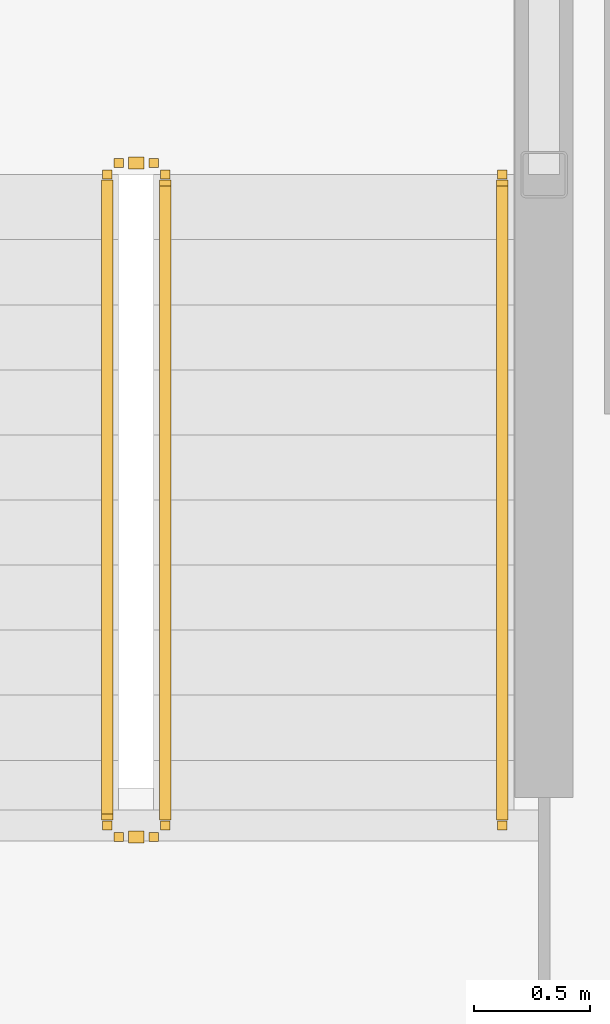
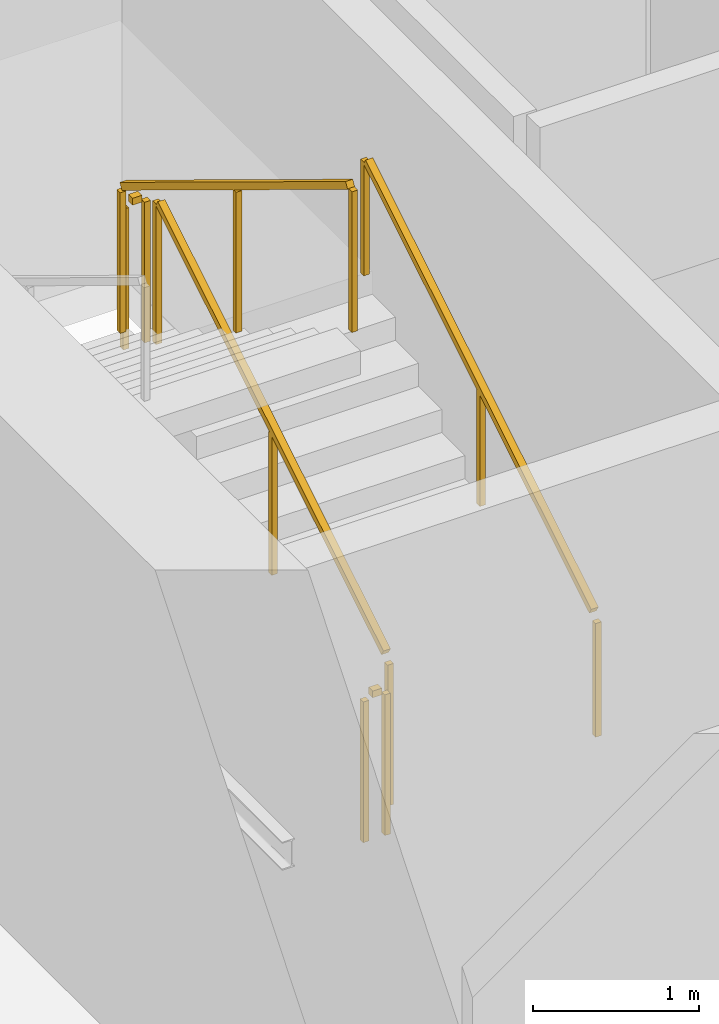
# One storey, part 17 of 20: 5 railings.
"""IFC4 building model written with IfcOpenShell, lengths in metres."""

from ifc_helpers import new_model, si_unit, direction, frame, origin, origin_2d, place, context, subcontext, project, spatial, rectangle, extrude, material, type_object, element, save


model = new_model("IFC4")

# Units and contexts
model_context = context("Model", 3, precision=1e-05, world=origin(), true_north=direction((0.0, 1.0)))
body_context = subcontext(model_context, "Body", "Model", "MODEL_VIEW")
ifc_project = project(units=[si_unit("LENGTHUNIT", "METRE"), si_unit("AREAUNIT", "SQUARE_METRE"), si_unit("VOLUMEUNIT", "CUBIC_METRE"), si_unit("PLANEANGLEUNIT", "RADIAN"), si_unit("MASSUNIT", "GRAM", prefix="KILO")], contexts=[model_context])

# Site, building, storey
site_placement = place(None, origin())
site = spatial("IfcSite", under=ifc_project, at=site_placement, CompositionType="ELEMENT")
building_placement = place(site_placement, origin())
building = spatial("IfcBuilding", under=site, at=building_placement, Name="Kazma Halo Residences", CompositionType="ELEMENT")
storey_placement = place(building_placement, frame((0.0, 0.0, 154.050048828125)))
storey = spatial("IfcBuildingStorey", under=building, at=storey_placement, Name="L38", CompositionType="ELEMENT", Elevation=154.050048828125)

# Railings
ifc_material_1 = material(Name="Painted Steel S355", Category="steel")
railing_type_1 = type_object("IfcRailingType", Name="RLG-STAIR-GRD-1100", PredefinedType="GUARDRAIL", material=ifc_material_1)
railing_1_placement = place(storey_placement, frame((39.550048828125, 39.949951171875, 0.17041015625)))
element("IfcRailing", 1, at=railing_1_placement, inside=storey, type_object=railing_type_1, Name="L38 ST-01 stair guard 1", PredefinedType="GUARDRAIL", context=body_context, shape_type="SweptSolid", body=[
    extrude(rectangle(XDim=0.050048828125, YDim=0.050048828125, at=origin_2d()), frame((0.0, 0.036376953125, 1.09716796875), z_axis=(0.0, 0.854169791009, 0.51999420009), x_axis=(-1.0, 0.0, 0.0)), (0.0, 0.0, 1.0), 3.193115234375),
    extrude(rectangle(XDim=0.0400390625, YDim=0.0400390625, at=origin_2d()), origin(), (0.0, 0.0, 1.0), 1.0380859375),
    extrude(rectangle(XDim=0.0400390625, YDim=0.0400390625, at=origin_2d()), frame((0.0, 1.39990234375, 0.852294921875)), (0.0, 0.0, 1.0), 1.0380859375),
    extrude(rectangle(XDim=0.0400390625, YDim=0.0400390625, at=origin_2d()), frame((0.0, 2.800048828125, 1.70458984375)), (0.0, 0.0, 1.0), 1.0380859375),
])
railing_2_placement = place(storey_placement, frame((39.5, 42.800048828125, 1.875)))
element("IfcRailing", 2, at=railing_2_placement, inside=storey, type_object=railing_type_1, Name="L38 ST-01 stair guard 2", PredefinedType="GUARDRAIL", context=body_context, shape_type="SweptSolid", body=[
    extrude(rectangle(XDim=0.050048828125, YDim=0.050048828125, at=origin_2d()), frame((-0.04248046875, 0.0, 1.0751953125), z_axis=(-1.0, 0.0, 0.0), x_axis=(0.0, -1.0, 0.0)), (0.0, 0.0, 1.0), 0.06494140625),
    extrude(rectangle(XDim=0.0400390625, YDim=0.0400390625, at=origin_2d()), origin(), (0.0, 0.0, 1.0), 1.0380859375),
    extrude(rectangle(XDim=0.0400390625, YDim=0.0400390625, at=origin_2d()), frame((-0.14990234375, 0.0, 0.0)), (0.0, 0.0, 1.0), 1.0380859375),
])
railing_3_placement = place(storey_placement, frame((39.300048828125, 42.75, 2.04541015625)))
element("IfcRailing", 3, at=railing_3_placement, inside=storey, type_object=railing_type_1, Name="L38 ST-01 stair guard 3", PredefinedType="GUARDRAIL", context=body_context, shape_type="SweptSolid", body=[
    extrude(rectangle(XDim=0.050048828125, YDim=0.050048828125, at=origin_2d()), frame((0.0, -0.036376953125, 1.09716796875), z_axis=(0.0, -0.854169791009, 0.51999420009), x_axis=(1.0, 0.0, 0.0)), (0.0, 0.0, 1.0), 3.193115234375),
    extrude(rectangle(XDim=0.0400390625, YDim=0.0400390625, at=origin_2d()), origin(), (0.0, 0.0, 1.0), 1.0380859375),
    extrude(rectangle(XDim=0.0400390625, YDim=0.0400390625, at=origin_2d()), frame((0.0, -1.39990234375, 0.852294921875)), (0.0, 0.0, 1.0), 1.0380859375),
    extrude(rectangle(XDim=0.0400390625, YDim=0.0400390625, at=origin_2d()), frame((0.0, -2.800048828125, 1.70458984375)), (0.0, 0.0, 1.0), 1.0380859375),
])
railing_4_placement = place(storey_placement, frame((39.5, 39.89990234375, 0.0)))
element("IfcRailing", 4, at=railing_4_placement, inside=storey, type_object=railing_type_1, Name="L38 ST-01 stair guard 4", PredefinedType="GUARDRAIL", context=body_context, shape_type="SweptSolid", body=[
    extrude(rectangle(XDim=0.050048828125, YDim=0.050048828125, at=origin_2d()), frame((-0.04248046875, 0.0, 1.0751953125), z_axis=(-1.0, 0.0, 0.0), x_axis=(0.0, -1.0, 0.0)), (0.0, 0.0, 1.0), 0.06494140625),
    extrude(rectangle(XDim=0.0400390625, YDim=0.0400390625, at=origin_2d()), origin(), (0.0, 0.0, 1.0), 1.0380859375),
    extrude(rectangle(XDim=0.0400390625, YDim=0.0400390625, at=origin_2d()), frame((-0.14990234375, 0.0, 0.0)), (0.0, 0.0, 1.0), 1.0380859375),
])
ifc_material_2 = material(Name="Brushed Stainless Steel", Category="steel")
railing_type_2 = type_object("IfcRailingType", Name="RLG-STAIR-HND-900", PredefinedType="HANDRAIL", material=ifc_material_2)
railing_5_placement = place(storey_placement, frame((41.0, 39.949951171875, 0.17041015625)))
element("IfcRailing", 5, at=railing_5_placement, inside=storey, type_object=railing_type_2, Name="L38 ST-01 stair handrail 1", PredefinedType="HANDRAIL", context=body_context, shape_type="SweptSolid", body=[
    extrude(rectangle(XDim=0.050048828125, YDim=0.050048828125, at=origin_2d()), frame((0.0, 0.036376953125, 0.89697265625), z_axis=(0.0, 0.854169791009, 0.51999420009), x_axis=(-1.0, 0.0, 0.0)), (0.0, 0.0, 1.0), 3.193115234375),
    extrude(rectangle(XDim=0.0400390625, YDim=0.0400390625, at=origin_2d()), origin(), (0.0, 0.0, 1.0), 0.837890625),
    extrude(rectangle(XDim=0.0400390625, YDim=0.0400390625, at=origin_2d()), frame((0.0, 1.39990234375, 0.852294921875)), (0.0, 0.0, 1.0), 0.837890625),
    extrude(rectangle(XDim=0.0400390625, YDim=0.0400390625, at=origin_2d()), frame((0.0, 2.800048828125, 1.70458984375)), (0.0, 0.0, 1.0), 0.837890625),
])

save(model, "model.ifc")
